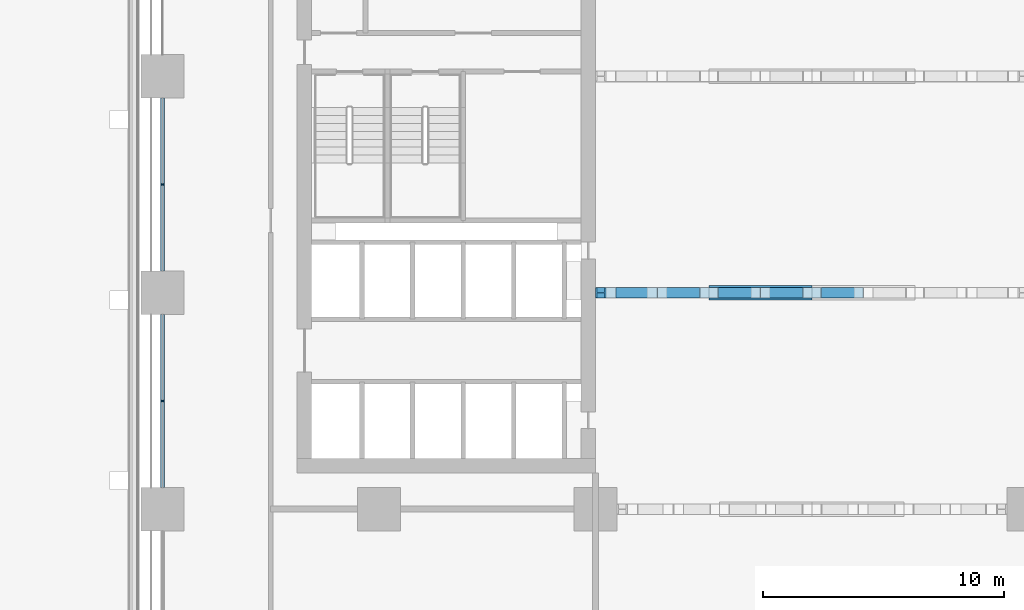
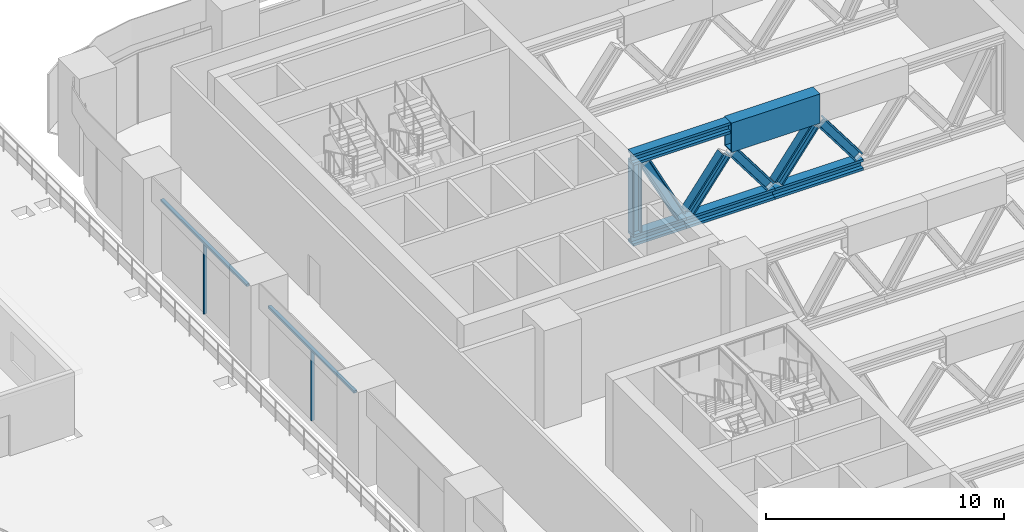
# One storey, part 6 of 35: 15 members, 2 elements without a shape of their own.
"""IFC4 building model written with IfcOpenShell, lengths in metres."""

from ifc_helpers import new_model, si_unit, direction, frame, origin, origin_2d, place, context, subcontext, project, spatial, rectangle, hollow_rectangle, i_section, extrude, material, material_profile, profile_set, type_object, element, aggregate, save


model = new_model("IFC4")

# Units and contexts
model_context = context("Model", 3, precision=1e-05, world=origin(), true_north=direction((0.0, 1.0)))
body_context = subcontext(model_context, "Body", "Model", "MODEL_VIEW")
ifc_project = project(units=[si_unit("LENGTHUNIT", "METRE"), si_unit("AREAUNIT", "SQUARE_METRE"), si_unit("VOLUMEUNIT", "CUBIC_METRE"), si_unit("PLANEANGLEUNIT", "RADIAN"), si_unit("MASSUNIT", "GRAM", prefix="KILO")], contexts=[model_context])

# Site, building, storey
site_placement = place(None, origin())
site = spatial("IfcSite", under=ifc_project, at=site_placement, CompositionType="ELEMENT")
building_placement = place(site_placement, origin())
building = spatial("IfcBuilding", under=site, at=building_placement, Name="Tessera Arch", CompositionType="ELEMENT")
storey_placement = place(building_placement, frame((0.0, 0.0, 26.0)))
storey = spatial("IfcBuildingStorey", under=building, at=storey_placement, Name="L04", CompositionType="ELEMENT", Elevation=26.0)

# Curtain wall, member
ifc_material_1 = material(Name="CW7 curtain wall")
curtain_wall_type = type_object("IfcCurtainWallType", Name="CW7 curtain wall", PredefinedType="NOTDEFINED", material=ifc_material_1)
curtain_wall_1_placement = place(storey_placement, origin())
curtain_wall_1 = element("IfcCurtainWall", 1, at=curtain_wall_1_placement, inside=storey, type_object=curtain_wall_type, Name="CW7 curtain wall W0.0/1 L04", PredefinedType="NOTDEFINED")
ifc_material_2 = material(Name="Anodised aluminium pale metal", Category="aluminium")
ifc_material_profile_1 = material_profile(ifc_material_2, rectangle(XDim=0.159912109375, YDim=0.06005859375, at=origin_2d()), Name="AL 60x160")
ifc_profile_set_1 = profile_set([ifc_material_profile_1], Name="Anodised aluminium pale metal")
member_type_1 = type_object("IfcMemberType", Name="CW7 mullion", PredefinedType="MULLION", material=ifc_profile_set_1)
member_1_placement = place(storey_placement, frame((0.0, 40.5, 0.0), z_axis=(0.0, 0.0, 1.0), x_axis=(1.0, 0.0, 0.0)))
member_1 = element("IfcMember", 2, at=member_1_placement, type_object=member_type_1, Name="CW7 mullion W0.0/1 1", PredefinedType="MULLION", context=body_context, shape_type="SweptSolid", body=[
    extrude(rectangle(XDim=0.159912109375, YDim=0.06005859375, at=origin_2d()), origin(), (0.0, 0.0, 1.0), 3.580078125),
])

curtain_wall_2_placement = place(storey_placement, origin())
curtain_wall_2 = element("IfcCurtainWall", 3, at=curtain_wall_2_placement, inside=storey, type_object=curtain_wall_type, Name="CW7 curtain wall W0.0/2 L04", PredefinedType="NOTDEFINED")
member_2_placement = place(storey_placement, frame((0.0, 31.5, 0.0), z_axis=(0.0, 0.0, 1.0), x_axis=(1.0, 0.0, 0.0)))
member_2 = element("IfcMember", 4, at=member_2_placement, type_object=member_type_1, Name="CW7 mullion W0.0/2 1", PredefinedType="MULLION", context=body_context, shape_type="SweptSolid", body=[
    extrude(rectangle(XDim=0.159912109375, YDim=0.06005859375, at=origin_2d()), origin(), (0.0, 0.0, 1.0), 3.580078125),
])

# Member
ifc_material_3 = material(Name="Anodised aluminium pale metal", Category="aluminium")
ifc_material_profile_2 = material_profile(ifc_material_3, rectangle(XDim=0.159912109375, YDim=0.1201171875, at=origin_2d()), Name="AL 160x120")
ifc_profile_set_2 = profile_set([ifc_material_profile_2], Name="Anodised aluminium pale metal")
member_type_2 = type_object("IfcMemberType", Name="CW7 transom", PredefinedType="USERDEFINED", material=ifc_profile_set_2)
member_3_placement = place(storey_placement, frame((0.0, 44.10009765625, 3.639892578125), z_axis=(0.0, -1.0, 0.0), x_axis=(1.0, 0.0, 0.0)))
member_3 = element("IfcMember", 5, at=member_3_placement, type_object=member_type_2, Name="CW7 transom W0.0/1 1.1", ObjectType="TRANSOM", PredefinedType="USERDEFINED", context=body_context, shape_type="SweptSolid", body=[
    extrude(rectangle(XDim=0.159912109375, YDim=0.1201171875, at=origin_2d()), origin(), (0.0, 0.0, 1.0), 7.2001953125),
])

aggregate(curtain_wall_1, [member_1, member_3])

member_4_placement = place(storey_placement, frame((0.0, 35.10009765625, 3.639892578125), z_axis=(0.0, -1.0, 0.0), x_axis=(1.0, 0.0, 0.0)))
member_4 = element("IfcMember", 6, at=member_4_placement, type_object=member_type_2, Name="CW7 transom W0.0/2 1.1", ObjectType="TRANSOM", PredefinedType="USERDEFINED", context=body_context, shape_type="SweptSolid", body=[
    extrude(rectangle(XDim=0.159912109375, YDim=0.1201171875, at=origin_2d()), origin(), (0.0, 0.0, 1.0), 7.2001953125),
])

aggregate(curtain_wall_2, [member_2, member_4])

# Members
ifc_material_4 = material(Name="Steel A572 Gr50", Category="steel")
ifc_material_profile_3 = material_profile(ifc_material_4, hollow_rectangle(XDim=0.60009765625, YDim=1.5, WallThickness=0.06005859375, at=origin_2d()), Name="BOX 600x1500x60")
ifc_profile_set_3 = profile_set([ifc_material_profile_3], Name="Steel A572 Gr50")
member_type_3 = type_object("IfcMemberType", Name="Transfer truss node girder BOX 600x1500x60", PredefinedType="CHORD", material=ifc_profile_set_3)
member_5_placement = place(storey_placement, frame((22.71728515625, 36.0, 3.949951171875), z_axis=(1.0, 0.0, 0.0), x_axis=(0.0, 1.0, 0.0)))
element("IfcMember", 7, at=member_5_placement, inside=storey, type_object=member_type_3, Name="Transfer truss node girder 2", PredefinedType="CHORD", context=body_context, shape_type="SweptSolid", body=[
    extrude(hollow_rectangle(XDim=0.60009765625, YDim=1.5, WallThickness=0.06005859375, at=origin_2d()), origin(), (0.0, 0.0, 1.0), 4.28271484375),
])
ifc_material_5 = material(Name="Steel A992 Gr50", Category="steel")
ifc_material_profile_4 = material_profile(ifc_material_5, i_section(OverallWidth=0.45458984375, OverallDepth=0.56884765625, WebThickness=0.077880859375, FlangeThickness=0.124755859375, at=origin_2d()), Name="W14x730")
ifc_profile_set_4 = profile_set([ifc_material_profile_4], Name="Steel A992 Gr50")
member_type_4 = type_object("IfcMemberType", Name="Truss chord W14x730", PredefinedType="CHORD", material=ifc_profile_set_4)
member_6_placement = place(storey_placement, frame((18.0, 36.0, 4.41552734375), z_axis=(1.0, 0.0, 0.0), x_axis=(0.0, 1.0, 0.0)))
element("IfcMember", 8, at=member_6_placement, inside=storey, type_object=member_type_4, Name="Transfer truss top chord 1", PredefinedType="CHORD", context=body_context, shape_type="SweptSolid", body=[
    extrude(i_section(OverallWidth=0.45458984375, OverallDepth=0.56884765625, WebThickness=0.077880859375, FlangeThickness=0.124755859375, at=origin_2d()), origin(), (0.0, 0.0, 1.0), 4.71728515625),
])
member_7_placement = place(storey_placement, frame((18.0, 36.0, 0.284423828125), z_axis=(1.0, 0.0, 0.0), x_axis=(0.0, 1.0, 0.0)))
element("IfcMember", 9, at=member_7_placement, inside=storey, type_object=member_type_4, Name="Transfer truss bottom chord 1", PredefinedType="CHORD", context=body_context, shape_type="SweptSolid", body=[
    extrude(i_section(OverallWidth=0.45458984375, OverallDepth=0.56884765625, WebThickness=0.077880859375, FlangeThickness=0.124755859375, at=origin_2d()), origin(), (0.0, 0.0, 1.0), 2.57568359375),
])
member_8_placement = place(storey_placement, frame((20.57568359375, 36.0, 0.284423828125), z_axis=(1.0, 0.0, 0.0), x_axis=(0.0, 1.0, 0.0)))
element("IfcMember", 10, at=member_8_placement, inside=storey, type_object=member_type_4, Name="Transfer truss bottom chord 2", PredefinedType="CHORD", context=body_context, shape_type="SweptSolid", body=[
    extrude(i_section(OverallWidth=0.45458984375, OverallDepth=0.56884765625, WebThickness=0.077880859375, FlangeThickness=0.124755859375, at=origin_2d()), origin(), (0.0, 0.0, 1.0), 4.282958984375),
])
member_9_placement = place(storey_placement, frame((24.858642578125, 36.0, 0.284423828125), z_axis=(1.0, 0.0, 0.0), x_axis=(0.0, 1.0, 0.0)))
element("IfcMember", 11, at=member_9_placement, inside=storey, type_object=member_type_4, Name="Transfer truss bottom chord 3", PredefinedType="CHORD", context=body_context, shape_type="SweptSolid", body=[
    extrude(i_section(OverallWidth=0.45458984375, OverallDepth=0.56884765625, WebThickness=0.077880859375, FlangeThickness=0.124755859375, at=origin_2d()), origin(), (0.0, 0.0, 1.0), 4.28271484375),
])
ifc_material_6 = material(Name="Steel A992 Gr50", Category="steel")
ifc_material_profile_5 = material_profile(ifc_material_6, i_section(OverallWidth=0.424072265625, OverallDepth=0.47412109375, WebThickness=0.047607421875, FlangeThickness=0.0771484375, at=origin_2d()), Name="W14x426")
ifc_profile_set_5 = profile_set([ifc_material_profile_5], Name="Steel A992 Gr50")
member_type_5 = type_object("IfcMemberType", Name="Truss diagonal W14x426", PredefinedType="BRACE", material=ifc_profile_set_5)
member_10_placement = place(storey_placement, frame((18.653564453125, 36.0, 4.006591796875), z_axis=(0.457173271573, 0.0, -0.889377647436), x_axis=(0.0, 1.0, 0.0)))
element("IfcMember", 12, at=member_10_placement, inside=storey, type_object=member_type_5, Name="Transfer truss diagonal 1", PredefinedType="BRACE", context=body_context, shape_type="SweptSolid", body=[
    extrude(i_section(OverallWidth=0.424072265625, OverallDepth=0.47412109375, WebThickness=0.047607421875, FlangeThickness=0.0771484375, at=origin_2d()), origin(), (0.0, 0.0, 1.0), 3.725341796875),
])
for number, where, z_axis, x_axis, name in (
    (13, (20.776123046875, 36.0, 0.725830078125), (0.600592846889, 0.0, 0.799555021412), (0.0, 1.0, 0.0), "Transfer truss diagonal 2"),
    (14, (22.91748046875, 36.0, 3.043212890625), (0.600592846889, 0.0, -0.799555021412), (0.0, 1.0, 0.0), "Transfer truss diagonal 3"),
):
    element("IfcMember", number, at=place(storey_placement, frame(where, z_axis=z_axis, x_axis=x_axis)), inside=storey, type_object=member_type_5, Name=name, PredefinedType="BRACE", context=body_context, shape_type="SweptSolid", body=[
        extrude(i_section(OverallWidth=0.424072265625, OverallDepth=0.47412109375, WebThickness=0.047607421875, FlangeThickness=0.0771484375, at=origin_2d()), origin(), (0.0, 0.0, 1.0), 2.8984375),
    ])
for number, where, z_axis, x_axis, name in (
    (15, (25.05908203125, 36.0, 0.725830078125), (0.6005389926, 0.0, 0.799595471702), (0.0, 1.0, 0.0), "Transfer truss diagonal 4"),
    (16, (27.200439453125, 36.0, 3.043212890625), (0.6005389926, 0.0, -0.799595471702), (0.0, 1.0, 0.0), "Transfer truss diagonal 5"),
):
    element("IfcMember", number, at=place(storey_placement, frame(where, z_axis=z_axis, x_axis=x_axis)), inside=storey, type_object=member_type_5, Name=name, PredefinedType="BRACE", context=body_context, shape_type="SweptSolid", body=[
        extrude(i_section(OverallWidth=0.424072265625, OverallDepth=0.47412109375, WebThickness=0.047607421875, FlangeThickness=0.0771484375, at=origin_2d()), origin(), (0.0, 0.0, 1.0), 2.898193359375),
    ])
ifc_material_7 = material(Name="Steel A992 Gr50", Category="steel")
ifc_material_profile_6 = material_profile(ifc_material_7, i_section(OverallWidth=0.411376953125, OverallDepth=0.434326171875, WebThickness=0.035888671875, FlangeThickness=0.057373046875, at=origin_2d()), Name="W14x311")
ifc_profile_set_6 = profile_set([ifc_material_profile_6], Name="Steel A992 Gr50")
member_type_6 = type_object("IfcMemberType", Name="Truss post W14x311", PredefinedType="POST", material=ifc_profile_set_6)
member_11_placement = place(storey_placement, frame((18.21728515625, 36.0, 0.56884765625), z_axis=(0.0, 0.0, 1.0), x_axis=(0.0, 1.0, 0.0)))
element("IfcMember", 17, at=member_11_placement, inside=storey, type_object=member_type_6, Name="Transfer truss end post 1", PredefinedType="POST", context=body_context, shape_type="SweptSolid", body=[
    extrude(i_section(OverallWidth=0.411376953125, OverallDepth=0.434326171875, WebThickness=0.035888671875, FlangeThickness=0.057373046875, at=origin_2d()), origin(), (0.0, 0.0, 1.0), 3.562255859375),
])

save(model, "model.ifc")
